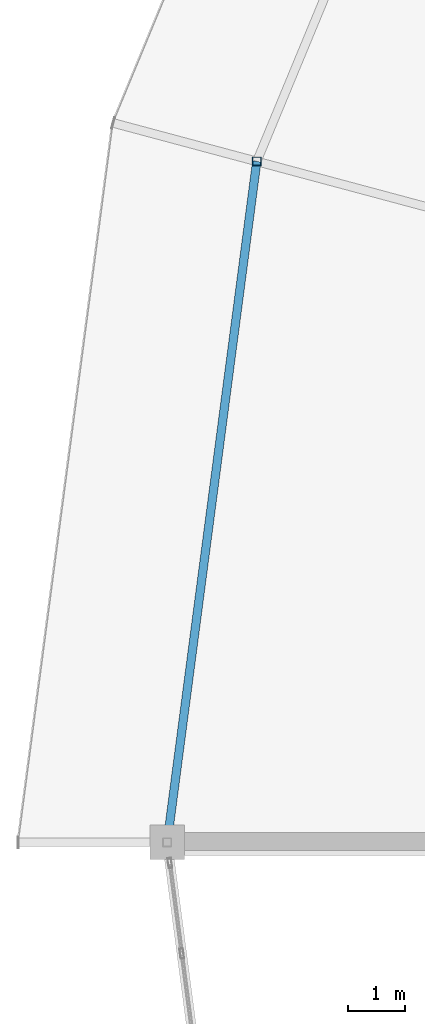
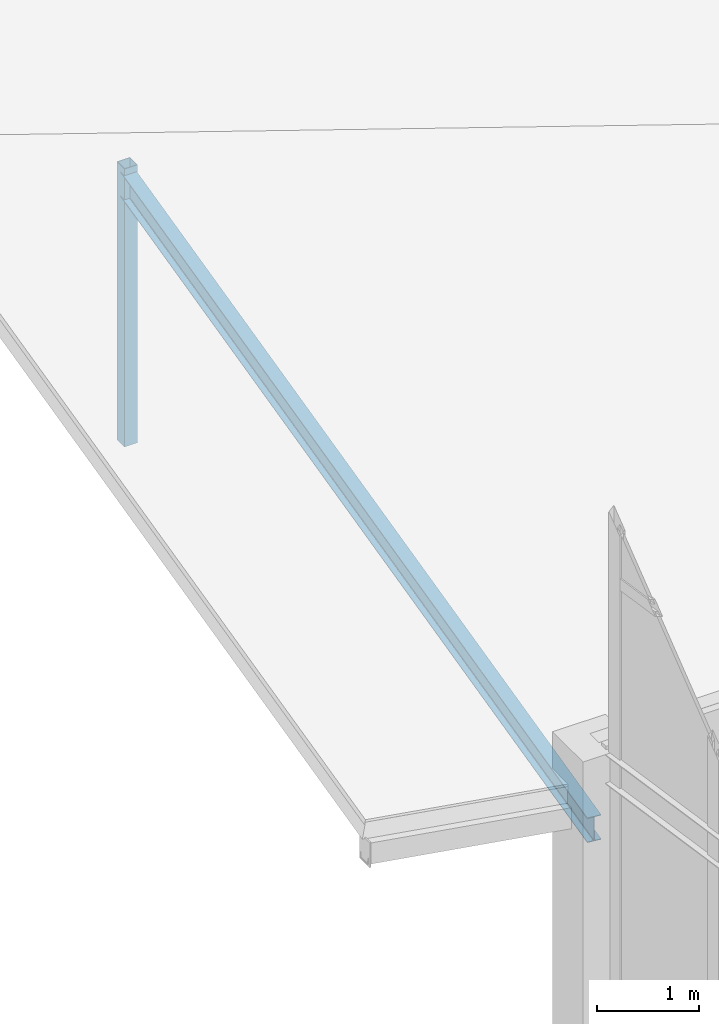
# One storey, part 31 of 93: 1 beam, 1 member.
"""IFC4 building model written with IfcOpenShell, lengths in metres."""

import ifcopenshell
import ifcopenshell.guid

model = None  # the IFC model being written
_history = None  # IfcOwnerHistory: only IFC2X3 demands one
_inside = {}  # id of a spatial element -> (the spatial element, [elements in it])
_under = {}  # id of a project, library or spatial element -> (it, [spatial elements below it])
_declared = {}  # id of a project -> (the project, [libraries it declares])
_typed = {}  # id of a type object -> (the type object, [elements of that type])
_made_of = {}  # id of a material, layer set ... -> (it, [elements and type objects made of it])


def new_model(schema):
    """Start an empty IFC model of exactly this schema.

    Asked for "IFC4X3", IfcOpenShell would pick the latest addendum, in which some entities
    have other attributes; the version numbers below select the first issue.
    IFC2X3 requires an IfcOwnerHistory on every rooted entity: one is made here for all.
    """
    global model, _history
    if schema == "IFC4X3":
        model = ifcopenshell.file(schema_version=(4, 3, 0, 0))
    else:
        model = ifcopenshell.file(schema=schema)
    _inside.clear()
    _under.clear()
    _declared.clear()
    _typed.clear()
    _made_of.clear()
    _history = None
    if model.schema == "IFC2X3":
        org = make("IfcOrganization", Name="unknown")
        user = make(
            "IfcPersonAndOrganization",
            ThePerson=make("IfcPerson", FamilyName="unknown"),
            TheOrganization=org,
        )
        app = make(
            "IfcApplication",
            ApplicationDeveloper=org,
            Version="unknown",
            ApplicationFullName="unknown",
            ApplicationIdentifier="unknown",
        )
        _history = make(
            "IfcOwnerHistory",
            OwningUser=user,
            OwningApplication=app,
            ChangeAction="ADDED",
            CreationDate=0,
        )
    return model


def make(cls, **values):
    """One entity of the class cls with the attributes given. An attribute that is None is left unset."""
    return model.create_entity(
        cls, **{name: value for name, value in values.items() if value is not None}
    )


def rooted(cls, **values):
    """An entity with a GlobalId (a new one), such as an element, a storey or a relation."""
    return make(cls, GlobalId=ifcopenshell.guid.new(), OwnerHistory=_history, **values)


def si_unit(unit_type, name, prefix=None):
    """IfcSIUnit, for example si_unit("LENGTHUNIT", "METRE", prefix="MILLI")."""
    return make("IfcSIUnit", UnitType=unit_type, Prefix=prefix, Name=name)


def assignment(units):
    """IfcUnitAssignment: the units of a project."""
    return None if units is None else make("IfcUnitAssignment", Units=units)


def point(xyz):
    """IfcCartesianPoint."""
    return None if xyz is None else make("IfcCartesianPoint", Coordinates=xyz)


def direction(xyz):
    """IfcDirection."""
    return None if xyz is None else make("IfcDirection", DirectionRatios=xyz)


def frame(location, z_axis=None, x_axis=None):
    """IfcAxis2Placement3D, a coordinate frame: its origin and axes. An axis left out is left unset."""
    return make(
        "IfcAxis2Placement3D",
        Location=point(location),
        Axis=direction(z_axis),
        RefDirection=direction(x_axis),
    )


def frame_2d(location, x_axis=None):
    """IfcAxis2Placement2D, a coordinate frame in the plane: its origin and x axis."""
    return make(
        "IfcAxis2Placement2D", Location=point(location), RefDirection=direction(x_axis)
    )


def origin():
    """The frame at (0, 0, 0) with its axes left unset."""
    return frame((0.0, 0.0, 0.0))


def origin_2d():
    """The frame at (0, 0) in the plane with its x axis left unset."""
    return frame_2d((0.0, 0.0))


def place(relative_to, where):
    """IfcLocalPlacement: puts the frame where relative to a parent placement (None: the world)."""
    return make(
        "IfcLocalPlacement", PlacementRelTo=relative_to, RelativePlacement=where
    )


def context(
    kind, dimensions, precision=None, world=None, true_north=None, identifier=None
):
    """IfcGeometricRepresentationContext, for example the 3D "Model" context."""
    return make(
        "IfcGeometricRepresentationContext",
        ContextIdentifier=identifier,
        ContextType=kind,
        CoordinateSpaceDimension=dimensions,
        Precision=precision,
        WorldCoordinateSystem=world,
        TrueNorth=true_north,
    )


def subcontext(parent, identifier, kind, view, scale=None):
    """IfcGeometricRepresentationSubContext, for example "Body" below "Model"."""
    return make(
        "IfcGeometricRepresentationSubContext",
        ContextIdentifier=identifier,
        ContextType=kind,
        ParentContext=parent,
        TargetScale=scale,
        TargetView=view,
    )


def project(units=None, contexts=None):
    """IfcProject with its units and contexts."""
    return rooted(
        "IfcProject",
        Name="project",
        RepresentationContexts=contexts,
        UnitsInContext=assignment(units),
    )


def spatial(cls, under=None, at=None, **own):
    """A site, building, storey or space (cls), placed at a placement, below another one or the project."""
    s = rooted(cls, ObjectPlacement=at, **own)
    if under is not None:
        _under.setdefault(under.id(), (under, []))[1].append(s)
    return s


def profile(cls, at=None, kind="AREA", **sizes):
    """A parametric profile (cls). Its sizes go by their IFC names, for example OverallWidth=200.0."""
    return make(cls, ProfileType=kind, Position=at, **sizes)


def hollow_rectangle(**sizes):
    """IfcRectangleHollowProfileDef."""
    return profile("IfcRectangleHollowProfileDef", **sizes)


def i_section(**sizes):
    """IfcIShapeProfileDef."""
    return profile("IfcIShapeProfileDef", **sizes)


def extrude(swept, where, along, depth):
    """IfcExtrudedAreaSolid: the profile swept, set in the frame where, extruded along a direction by depth."""
    return make(
        "IfcExtrudedAreaSolid",
        SweptArea=swept,
        Position=where,
        ExtrudedDirection=direction(along),
        Depth=depth,
    )


def shape(context_of_items, identifier, shape_type, items):
    """IfcShapeRepresentation: the items that make up one representation, for example the "Body"."""
    return make(
        "IfcShapeRepresentation",
        ContextOfItems=context_of_items,
        RepresentationIdentifier=identifier,
        RepresentationType=shape_type,
        Items=items,
    )


def material(Name=None, Category=None):
    """IfcMaterial."""
    return make("IfcMaterial", Name=Name, Category=Category)


def material_profile(
    of_material, cross_section, Name=None, Category=None, Priority=None
):
    """IfcMaterialProfile: a cross section and its material."""
    return make(
        "IfcMaterialProfile",
        Name=Name,
        Material=of_material,
        Profile=cross_section,
        Priority=Priority,
        Category=Category,
    )


def profile_set(profiles, Name=None, composite=None):
    """IfcMaterialProfileSet."""
    return make(
        "IfcMaterialProfileSet",
        Name=Name,
        MaterialProfiles=profiles,
        CompositeProfile=composite,
    )


def made_of(thing, what):
    """Note that an element or type object is made of a material, layer set ...; save() writes the relation."""
    if what is not None:
        _made_of.setdefault(what.id(), (what, []))[1].append(thing)
    return thing


def type_object(cls, material=None, **own):
    """A type object (cls), such as IfcWallType, which elements share."""
    return made_of(rooted(cls, **own), material)


def element(
    cls,
    number,
    at=None,
    inside=None,
    cuts=None,
    type_object=None,
    material=None,
    context=None,
    identifier="Body",
    shape_type=None,
    held_by="IfcProductDefinitionShape",
    body=None,
    shapes=None,
    **own,
):
    """One element of the class cls, such as IfcWall. Its Tag is "e" and its number.

    at: its placement. inside: the storey or other place that contains it. cuts: it is an
    opening in that element (IfcRelVoidsElement). A single representation is given by context,
    identifier, shape_type and body (its items); several are given by shapes. held_by: the class
    of the entity that holds the representations. save() writes the other relations.
    """
    e = rooted(cls, Tag="e%d" % number, ObjectPlacement=at, **own)
    if body is not None:
        shapes = [shape(context, identifier, shape_type, body)]
    if shapes is not None:
        e.Representation = make(held_by, Representations=shapes)
    if inside is not None:
        _inside.setdefault(inside.id(), (inside, []))[1].append(e)
    if cuts is not None:
        rooted(
            "IfcRelVoidsElement", RelatingBuildingElement=cuts, RelatedOpeningElement=e
        )
    if type_object is not None:
        _typed.setdefault(type_object.id(), (type_object, []))[1].append(e)
    return made_of(e, material)


def aggregate(whole, parts):
    """IfcRelAggregates: a whole, such as a stair, and the parts it consists of."""
    return rooted("IfcRelAggregates", RelatingObject=whole, RelatedObjects=parts)


def save(model, path):
    """Write the relations noted so far, then the file.

    IfcRelAggregates (storeys below a building ...), IfcRelContainedInSpatialStructure (elements
    in a storey), IfcRelDefinesByType, IfcRelAssociatesMaterial and IfcRelDeclares: one each for
    every whole, place, type object, material and project.
    """
    for whole, parts in _under.values():
        aggregate(whole, parts)
    for where, things in _inside.values():
        rooted(
            "IfcRelContainedInSpatialStructure",
            RelatedElements=things,
            RelatingStructure=where,
        )
    for kind, things in _typed.values():
        rooted("IfcRelDefinesByType", RelatedObjects=things, RelatingType=kind)
    for what, things in _made_of.values():
        rooted("IfcRelAssociatesMaterial", RelatedObjects=things, RelatingMaterial=what)
    for by, libraries in _declared.values():
        rooted("IfcRelDeclares", RelatingContext=by, RelatedDefinitions=libraries)
    model.write(path)


model = new_model("IFC4")

# Units and contexts
model_context = context("Model", 3, precision=1e-05, world=origin(), true_north=direction((0.0, 1.0)))
body_context = subcontext(model_context, "Body", "Model", "MODEL_VIEW")
ifc_project = project(units=[si_unit("LENGTHUNIT", "METRE"), si_unit("AREAUNIT", "SQUARE_METRE"), si_unit("VOLUMEUNIT", "CUBIC_METRE"), si_unit("PLANEANGLEUNIT", "RADIAN"), si_unit("MASSUNIT", "GRAM", prefix="KILO")], contexts=[model_context])

# Site, building, storey
site_placement = place(None, origin())
site = spatial("IfcSite", under=ifc_project, at=site_placement, CompositionType="ELEMENT")
building_placement = place(site_placement, origin())
building = spatial("IfcBuilding", under=site, at=building_placement, Name="Vondelvale Polytechnic", CompositionType="ELEMENT")
storey_placement = place(building_placement, frame((0.0, 0.0, 18.0)))
storey = spatial("IfcBuildingStorey", under=building, at=storey_placement, Name="L04", CompositionType="ELEMENT", Elevation=18.0)

# Beam
ifc_material_1 = material(Name="Steel 300PLUS (fy = 300 MPa)", Category="steel")
ifc_material_profile_1 = material_profile(ifc_material_1, i_section(OverallWidth=0.14892578125, OverallDepth=0.298095703125, WebThickness=0.005615234375, FlangeThickness=0.008056640625, FilletRadius=0.011474609375, at=origin_2d()), Name="310UB32.0")
ifc_profile_set_1 = profile_set([ifc_material_profile_1], Name="Steel 300PLUS (fy = 300 MPa)")
beam_type = type_object("IfcBeamType", Name="BM-UB310L", PredefinedType="BEAM", material=ifc_profile_set_1)
beam_placement = place(storey_placement, frame((57.5673828125, 83.90576171875, 3.11083984375), z_axis=(-0.130522880875, -0.991445297315, 0.0), x_axis=(0.991445297315, -0.130522880875, 0.0)))
element("IfcBeam", 1, at=beam_placement, inside=storey, type_object=beam_type, Name="L04 RE B-25", PredefinedType="BEAM", context=body_context, shape_type="SweptSolid", body=[
    extrude(i_section(OverallWidth=0.14892578125, OverallDepth=0.298095703125, WebThickness=0.005615234375, FlangeThickness=0.008056640625, FilletRadius=0.011474609375, at=origin_2d()), origin(), (0.0, 0.0, 1.0), 12.008544921875),
])

# Member
ifc_material_2 = material(Name="Steel C350L0 (fy = 350 MPa)", Category="steel")
ifc_material_profile_2 = material_profile(ifc_material_2, hollow_rectangle(XDim=0.14990234375, YDim=0.14990234375, WallThickness=0.006103515625, at=origin_2d()), Name="150x150x6.0SHS")
ifc_profile_set_2 = profile_set([ifc_material_profile_2], Name="Steel C350L0 (fy = 350 MPa)")
member_type = type_object("IfcMemberType", Name="ROOF TRUSS POST 150SHS", PredefinedType="POST", material=ifc_profile_set_2)
member_placement = place(storey_placement, frame((57.5673828125, 83.90576171875, 0.0), z_axis=(0.0, 0.0, 1.0), x_axis=(1.0, 0.0, 0.0)))
element("IfcMember", 2, at=member_placement, inside=storey, type_object=member_type, Name="Ring outer roof post 11", PredefinedType="POST", context=body_context, shape_type="SweptSolid", body=[
    extrude(hollow_rectangle(XDim=0.14990234375, YDim=0.14990234375, WallThickness=0.006103515625, at=origin_2d()), origin(), (0.0, 0.0, 1.0), 3.33984375),
])

save(model, "model.ifc")
